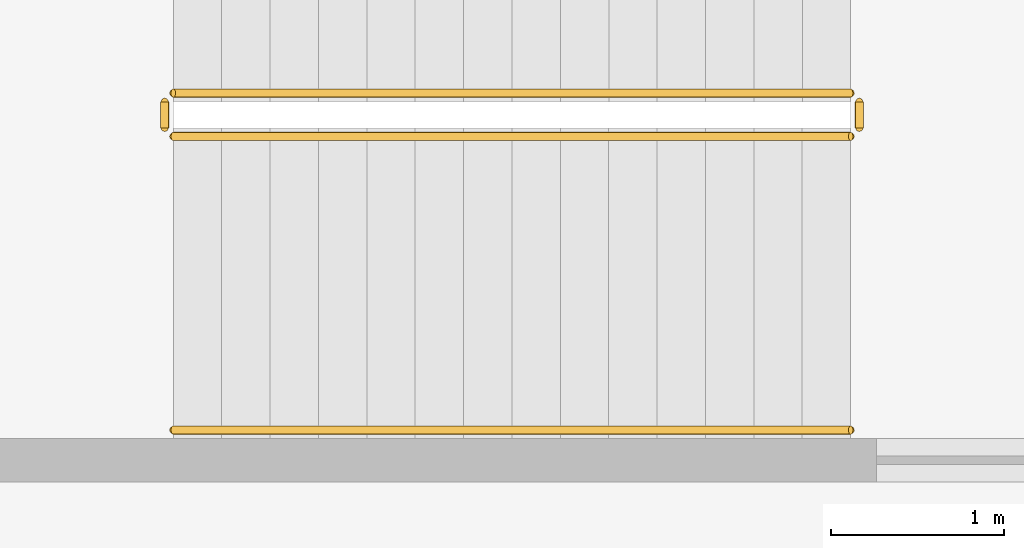
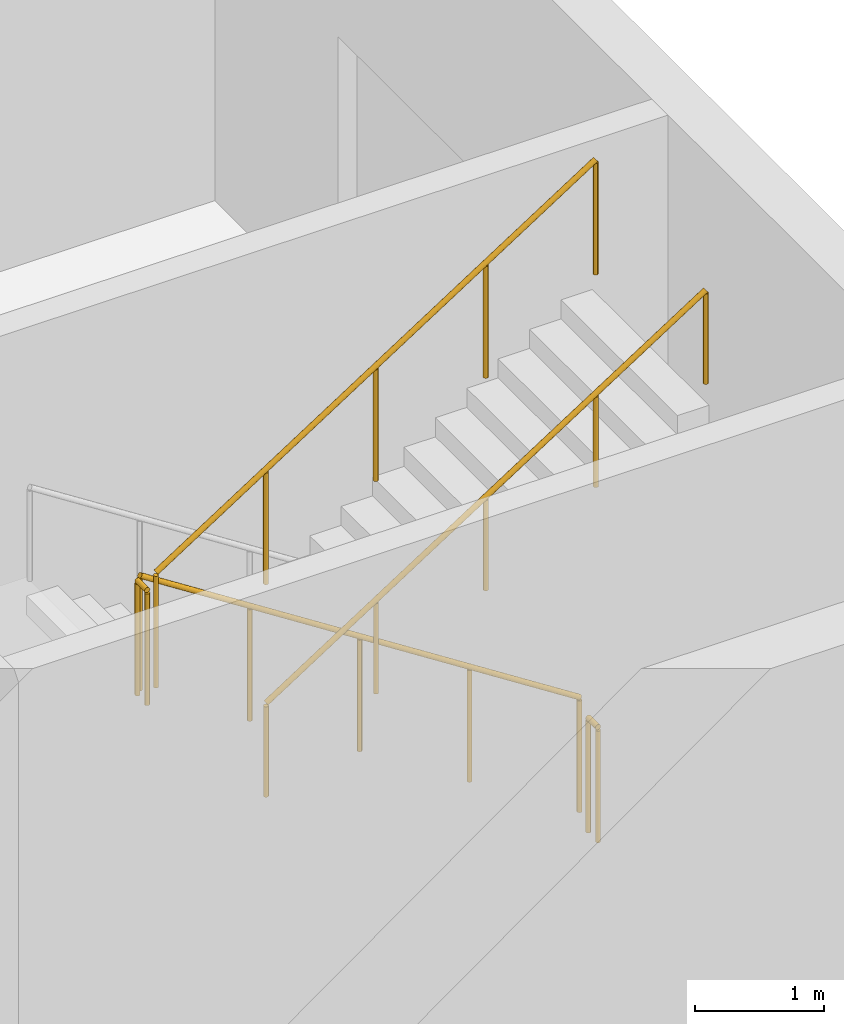
# One storey, part 42 of 44: 5 railings.
"""IFC4 building model written with IfcOpenShell, lengths in metres."""

import ifcopenshell
import ifcopenshell.guid

model = None  # the IFC model being written
_history = None  # IfcOwnerHistory: only IFC2X3 demands one
_inside = {}  # id of a spatial element -> (the spatial element, [elements in it])
_under = {}  # id of a project, library or spatial element -> (it, [spatial elements below it])
_declared = {}  # id of a project -> (the project, [libraries it declares])
_typed = {}  # id of a type object -> (the type object, [elements of that type])
_made_of = {}  # id of a material, layer set ... -> (it, [elements and type objects made of it])


def new_model(schema):
    """Start an empty IFC model of exactly this schema.

    Asked for "IFC4X3", IfcOpenShell would pick the latest addendum, in which some entities
    have other attributes; the version numbers below select the first issue.
    IFC2X3 requires an IfcOwnerHistory on every rooted entity: one is made here for all.
    """
    global model, _history
    if schema == "IFC4X3":
        model = ifcopenshell.file(schema_version=(4, 3, 0, 0))
    else:
        model = ifcopenshell.file(schema=schema)
    _inside.clear()
    _under.clear()
    _declared.clear()
    _typed.clear()
    _made_of.clear()
    _history = None
    if model.schema == "IFC2X3":
        org = make("IfcOrganization", Name="unknown")
        user = make(
            "IfcPersonAndOrganization",
            ThePerson=make("IfcPerson", FamilyName="unknown"),
            TheOrganization=org,
        )
        app = make(
            "IfcApplication",
            ApplicationDeveloper=org,
            Version="unknown",
            ApplicationFullName="unknown",
            ApplicationIdentifier="unknown",
        )
        _history = make(
            "IfcOwnerHistory",
            OwningUser=user,
            OwningApplication=app,
            ChangeAction="ADDED",
            CreationDate=0,
        )
    return model


def make(cls, **values):
    """One entity of the class cls with the attributes given. An attribute that is None is left unset."""
    return model.create_entity(
        cls, **{name: value for name, value in values.items() if value is not None}
    )


def rooted(cls, **values):
    """An entity with a GlobalId (a new one), such as an element, a storey or a relation."""
    return make(cls, GlobalId=ifcopenshell.guid.new(), OwnerHistory=_history, **values)


def si_unit(unit_type, name, prefix=None):
    """IfcSIUnit, for example si_unit("LENGTHUNIT", "METRE", prefix="MILLI")."""
    return make("IfcSIUnit", UnitType=unit_type, Prefix=prefix, Name=name)


def assignment(units):
    """IfcUnitAssignment: the units of a project."""
    return None if units is None else make("IfcUnitAssignment", Units=units)


def point(xyz):
    """IfcCartesianPoint."""
    return None if xyz is None else make("IfcCartesianPoint", Coordinates=xyz)


def direction(xyz):
    """IfcDirection."""
    return None if xyz is None else make("IfcDirection", DirectionRatios=xyz)


def frame(location, z_axis=None, x_axis=None):
    """IfcAxis2Placement3D, a coordinate frame: its origin and axes. An axis left out is left unset."""
    return make(
        "IfcAxis2Placement3D",
        Location=point(location),
        Axis=direction(z_axis),
        RefDirection=direction(x_axis),
    )


def frame_2d(location, x_axis=None):
    """IfcAxis2Placement2D, a coordinate frame in the plane: its origin and x axis."""
    return make(
        "IfcAxis2Placement2D", Location=point(location), RefDirection=direction(x_axis)
    )


def origin():
    """The frame at (0, 0, 0) with its axes left unset."""
    return frame((0.0, 0.0, 0.0))


def origin_2d():
    """The frame at (0, 0) in the plane with its x axis left unset."""
    return frame_2d((0.0, 0.0))


def place(relative_to, where):
    """IfcLocalPlacement: puts the frame where relative to a parent placement (None: the world)."""
    return make(
        "IfcLocalPlacement", PlacementRelTo=relative_to, RelativePlacement=where
    )


def context(
    kind, dimensions, precision=None, world=None, true_north=None, identifier=None
):
    """IfcGeometricRepresentationContext, for example the 3D "Model" context."""
    return make(
        "IfcGeometricRepresentationContext",
        ContextIdentifier=identifier,
        ContextType=kind,
        CoordinateSpaceDimension=dimensions,
        Precision=precision,
        WorldCoordinateSystem=world,
        TrueNorth=true_north,
    )


def subcontext(parent, identifier, kind, view, scale=None):
    """IfcGeometricRepresentationSubContext, for example "Body" below "Model"."""
    return make(
        "IfcGeometricRepresentationSubContext",
        ContextIdentifier=identifier,
        ContextType=kind,
        ParentContext=parent,
        TargetScale=scale,
        TargetView=view,
    )


def project(units=None, contexts=None):
    """IfcProject with its units and contexts."""
    return rooted(
        "IfcProject",
        Name="project",
        RepresentationContexts=contexts,
        UnitsInContext=assignment(units),
    )


def spatial(cls, under=None, at=None, **own):
    """A site, building, storey or space (cls), placed at a placement, below another one or the project."""
    s = rooted(cls, ObjectPlacement=at, **own)
    if under is not None:
        _under.setdefault(under.id(), (under, []))[1].append(s)
    return s


def profile(cls, at=None, kind="AREA", **sizes):
    """A parametric profile (cls). Its sizes go by their IFC names, for example OverallWidth=200.0."""
    return make(cls, ProfileType=kind, Position=at, **sizes)


def circle(**sizes):
    """IfcCircleProfileDef."""
    return profile("IfcCircleProfileDef", **sizes)


def extrude(swept, where, along, depth):
    """IfcExtrudedAreaSolid: the profile swept, set in the frame where, extruded along a direction by depth."""
    return make(
        "IfcExtrudedAreaSolid",
        SweptArea=swept,
        Position=where,
        ExtrudedDirection=direction(along),
        Depth=depth,
    )


def shape(context_of_items, identifier, shape_type, items):
    """IfcShapeRepresentation: the items that make up one representation, for example the "Body"."""
    return make(
        "IfcShapeRepresentation",
        ContextOfItems=context_of_items,
        RepresentationIdentifier=identifier,
        RepresentationType=shape_type,
        Items=items,
    )


def material(Name=None, Category=None):
    """IfcMaterial."""
    return make("IfcMaterial", Name=Name, Category=Category)


def made_of(thing, what):
    """Note that an element or type object is made of a material, layer set ...; save() writes the relation."""
    if what is not None:
        _made_of.setdefault(what.id(), (what, []))[1].append(thing)
    return thing


def type_object(cls, material=None, **own):
    """A type object (cls), such as IfcWallType, which elements share."""
    return made_of(rooted(cls, **own), material)


def element(
    cls,
    number,
    at=None,
    inside=None,
    cuts=None,
    type_object=None,
    material=None,
    context=None,
    identifier="Body",
    shape_type=None,
    held_by="IfcProductDefinitionShape",
    body=None,
    shapes=None,
    **own,
):
    """One element of the class cls, such as IfcWall. Its Tag is "e" and its number.

    at: its placement. inside: the storey or other place that contains it. cuts: it is an
    opening in that element (IfcRelVoidsElement). A single representation is given by context,
    identifier, shape_type and body (its items); several are given by shapes. held_by: the class
    of the entity that holds the representations. save() writes the other relations.
    """
    e = rooted(cls, Tag="e%d" % number, ObjectPlacement=at, **own)
    if body is not None:
        shapes = [shape(context, identifier, shape_type, body)]
    if shapes is not None:
        e.Representation = make(held_by, Representations=shapes)
    if inside is not None:
        _inside.setdefault(inside.id(), (inside, []))[1].append(e)
    if cuts is not None:
        rooted(
            "IfcRelVoidsElement", RelatingBuildingElement=cuts, RelatedOpeningElement=e
        )
    if type_object is not None:
        _typed.setdefault(type_object.id(), (type_object, []))[1].append(e)
    return made_of(e, material)


def aggregate(whole, parts):
    """IfcRelAggregates: a whole, such as a stair, and the parts it consists of."""
    return rooted("IfcRelAggregates", RelatingObject=whole, RelatedObjects=parts)


def save(model, path):
    """Write the relations noted so far, then the file.

    IfcRelAggregates (storeys below a building ...), IfcRelContainedInSpatialStructure (elements
    in a storey), IfcRelDefinesByType, IfcRelAssociatesMaterial and IfcRelDeclares: one each for
    every whole, place, type object, material and project.
    """
    for whole, parts in _under.values():
        aggregate(whole, parts)
    for where, things in _inside.values():
        rooted(
            "IfcRelContainedInSpatialStructure",
            RelatedElements=things,
            RelatingStructure=where,
        )
    for kind, things in _typed.values():
        rooted("IfcRelDefinesByType", RelatedObjects=things, RelatingType=kind)
    for what, things in _made_of.values():
        rooted("IfcRelAssociatesMaterial", RelatedObjects=things, RelatingMaterial=what)
    for by, libraries in _declared.values():
        rooted("IfcRelDeclares", RelatingContext=by, RelatedDefinitions=libraries)
    model.write(path)


model = new_model("IFC4")

# Units and contexts
model_context = context("Model", 3, precision=1e-05, world=origin(), true_north=direction((0.0, 1.0)))
body_context = subcontext(model_context, "Body", "Model", "MODEL_VIEW")
ifc_project = project(units=[si_unit("LENGTHUNIT", "METRE"), si_unit("AREAUNIT", "SQUARE_METRE"), si_unit("VOLUMEUNIT", "CUBIC_METRE"), si_unit("PLANEANGLEUNIT", "RADIAN"), si_unit("MASSUNIT", "GRAM", prefix="KILO")], contexts=[model_context])

# Site, building, storey
site_placement = place(None, origin())
site = spatial("IfcSite", under=ifc_project, at=site_placement, CompositionType="ELEMENT")
building_placement = place(site_placement, origin())
building = spatial("IfcBuilding", under=site, at=building_placement, Name="Hunhe Ridgeline Campus", CompositionType="ELEMENT")
storey_placement = place(building_placement, frame((0.0, 0.0, 6.0)))
storey = spatial("IfcBuildingStorey", under=building, at=storey_placement, Name="L01", CompositionType="ELEMENT", Elevation=6.0)

# Railings
ifc_material = material(Name="Steel Q235", Category="steel")
railing_type_1 = type_object("IfcRailingType", Name="Hall stair guard 1100", PredefinedType="GUARDRAIL", material=ifc_material)
railing_1_placement = place(storey_placement, frame((207.800048828125, 67.35009765625, 0.179931640625)))
element("IfcRailing", 1, at=railing_1_placement, inside=storey, type_object=railing_type_1, Name="L01 HS4 stair guard 1", PredefinedType="GUARDRAIL", context=body_context, shape_type="SweptSolid", body=[
    extrude(circle(Radius=0.02392578125, at=origin_2d()), frame((0.0, 0.0, 1.076171875), z_axis=(-0.841186985886, 0.0, 0.540744352514), x_axis=(0.0, -1.0, 0.0)), (0.0, 0.0, 1.0), 4.660400390625),
    extrude(circle(Radius=0.02099609375, at=origin_2d()), origin(), (0.0, 0.0, 1.0), 1.052001953125),
    extrude(circle(Radius=0.02099609375, at=origin_2d()), frame((-0.97998046875, 0.0, 0.6298828125)), (0.0, 0.0, 1.0), 1.052001953125),
    extrude(circle(Radius=0.02099609375, at=origin_2d()), frame((-1.9599609375, 0.0, 1.260009765625)), (0.0, 0.0, 1.0), 1.052001953125),
    extrude(circle(Radius=0.02099609375, at=origin_2d()), frame((-2.940185546875, 0.0, 1.89013671875)), (0.0, 0.0, 1.0), 1.052001953125),
    extrude(circle(Radius=0.02099609375, at=origin_2d()), frame((-3.920166015625, 0.0, 2.52001953125)), (0.0, 0.0, 1.0), 1.052001953125),
])
railing_2_placement = place(storey_placement, frame((203.830078125, 67.300048828125, 2.699951171875)))
element("IfcRailing", 2, at=railing_2_placement, inside=storey, type_object=railing_type_1, Name="L01 HS4 stair guard 2", PredefinedType="GUARDRAIL", context=body_context, shape_type="SweptSolid", body=[
    extrude(circle(Radius=0.02392578125, at=origin_2d()), frame((0.0, 0.0, 1.076171875), z_axis=(0.0, -1.0, 0.0), x_axis=(1.0, 0.0, 0.0)), (0.0, 0.0, 1.0), 0.150146484375),
    extrude(circle(Radius=0.02099609375, at=origin_2d()), origin(), (0.0, 0.0, 1.0), 1.052001953125),
    extrude(circle(Radius=0.02099609375, at=origin_2d()), frame((0.0, -0.150146484375, 0.0)), (0.0, 0.0, 1.0), 1.052001953125),
])
railing_3_placement = place(storey_placement, frame((203.8798828125, 67.10009765625, 2.8798828125)))
element("IfcRailing", 3, at=railing_3_placement, inside=storey, type_object=railing_type_1, Name="L01 HS4 stair guard 3", PredefinedType="GUARDRAIL", context=body_context, shape_type="SweptSolid", body=[
    extrude(circle(Radius=0.02392578125, at=origin_2d()), frame((0.0, 0.0, 1.076171875), z_axis=(0.841186985886, 0.0, 0.540744352514), x_axis=(0.0, 1.0, 0.0)), (0.0, 0.0, 1.0), 4.660400390625),
    extrude(circle(Radius=0.02099609375, at=origin_2d()), origin(), (0.0, 0.0, 1.0), 1.052001953125),
    extrude(circle(Radius=0.02099609375, at=origin_2d()), frame((0.97998046875, 0.0, 0.6298828125)), (0.0, 0.0, 1.0), 1.052001953125),
    extrude(circle(Radius=0.02099609375, at=origin_2d()), frame((1.9599609375, 0.0, 1.260009765625)), (0.0, 0.0, 1.0), 1.052001953125),
    extrude(circle(Radius=0.02099609375, at=origin_2d()), frame((2.940185546875, 0.0, 1.89013671875)), (0.0, 0.0, 1.0), 1.052001953125),
    extrude(circle(Radius=0.02099609375, at=origin_2d()), frame((3.920166015625, 0.0, 2.52001953125)), (0.0, 0.0, 1.0), 1.052001953125),
])
railing_4_placement = place(storey_placement, frame((207.85009765625, 67.300048828125, 0.0)))
element("IfcRailing", 4, at=railing_4_placement, inside=storey, type_object=railing_type_1, Name="L01 HS4 stair guard 4", PredefinedType="GUARDRAIL", context=body_context, shape_type="SweptSolid", body=[
    extrude(circle(Radius=0.02392578125, at=origin_2d()), frame((0.0, 0.0, 1.076171875), z_axis=(0.0, -1.0, 0.0), x_axis=(1.0, 0.0, 0.0)), (0.0, 0.0, 1.0), 0.150146484375),
    extrude(circle(Radius=0.02099609375, at=origin_2d()), origin(), (0.0, 0.0, 1.0), 1.052001953125),
    extrude(circle(Radius=0.02099609375, at=origin_2d()), frame((0.0, -0.150146484375, 0.0)), (0.0, 0.0, 1.0), 1.052001953125),
])
railing_type_2 = type_object("IfcRailingType", Name="Hall stair handrail", PredefinedType="HANDRAIL", material=ifc_material)
railing_5_placement = place(storey_placement, frame((203.8798828125, 65.39990234375, 2.8798828125)))
element("IfcRailing", 5, at=railing_5_placement, inside=storey, type_object=railing_type_2, Name="L01 HS4 stair handrail 2", PredefinedType="HANDRAIL", context=body_context, shape_type="SweptSolid", body=[
    extrude(circle(Radius=0.02392578125, at=origin_2d()), frame((0.0, 0.0, 0.8759765625), z_axis=(0.841186985886, 0.0, 0.540744352514), x_axis=(0.0, 1.0, 0.0)), (0.0, 0.0, 1.0), 4.660400390625),
    extrude(circle(Radius=0.02099609375, at=origin_2d()), origin(), (0.0, 0.0, 1.0), 0.851806640625),
    extrude(circle(Radius=0.02099609375, at=origin_2d()), frame((0.97998046875, 0.0, 0.6298828125)), (0.0, 0.0, 1.0), 0.851806640625),
    extrude(circle(Radius=0.02099609375, at=origin_2d()), frame((1.9599609375, 0.0, 1.260009765625)), (0.0, 0.0, 1.0), 0.851806640625),
    extrude(circle(Radius=0.02099609375, at=origin_2d()), frame((2.940185546875, 0.0, 1.89013671875)), (0.0, 0.0, 1.0), 0.851806640625),
    extrude(circle(Radius=0.02099609375, at=origin_2d()), frame((3.920166015625, 0.0, 2.52001953125)), (0.0, 0.0, 1.0), 0.851806640625),
])

save(model, "model.ifc")
